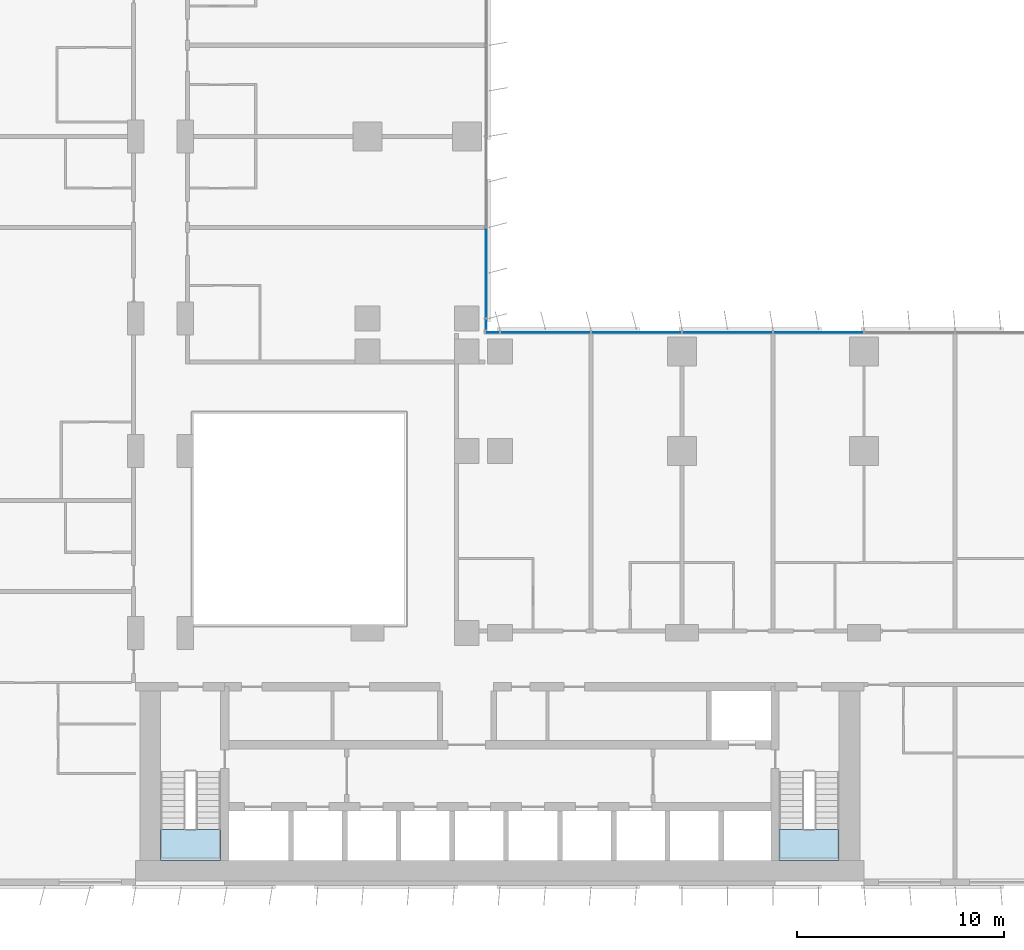
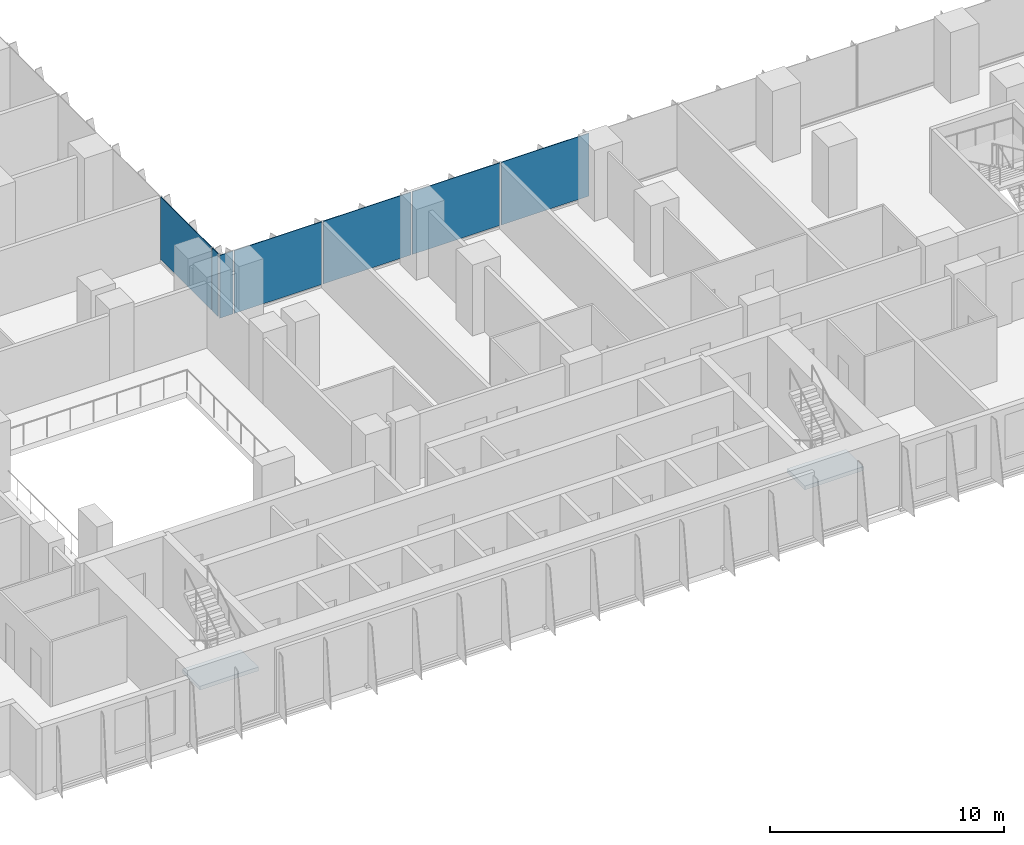
# One storey, part 10 of 24: 7 plates, 2 slabs, 4 elements without a shape of their own.
"""IFC4 building model written with IfcOpenShell, lengths in metres."""

from ifc_helpers import new_model, si_unit, direction, frame, origin, origin_2d, place, context, subcontext, project, spatial, polyline, rectangle, outline, extrude, source, transform, mapped, material, layer, layer_set, type_object, element, aggregate, save


model = new_model("IFC4")

# Units and contexts
model_context = context("Model", 3, precision=1e-05, world=origin(), true_north=direction((0.0, 1.0)))
body_context = subcontext(model_context, "Body", "Model", "MODEL_VIEW")
ifc_project = project(units=[si_unit("LENGTHUNIT", "METRE"), si_unit("AREAUNIT", "SQUARE_METRE"), si_unit("VOLUMEUNIT", "CUBIC_METRE"), si_unit("PLANEANGLEUNIT", "RADIAN"), si_unit("MASSUNIT", "GRAM", prefix="KILO")], contexts=[model_context])

# Site, building, storey
site_placement = place(None, origin())
site = spatial("IfcSite", under=ifc_project, at=site_placement, CompositionType="ELEMENT")
building_placement = place(site_placement, origin())
building = spatial("IfcBuilding", under=site, at=building_placement, Name="Kemantara Hotel Tower", CompositionType="ELEMENT")
storey_placement = place(building_placement, frame((0.0, 0.0, 59.89990234375)))
storey = spatial("IfcBuildingStorey", under=building, at=storey_placement, Name="L13", CompositionType="ELEMENT", Elevation=59.89990234375)

# Stair, slab
ifc_material_1 = material(Name="Concrete fc 40 MPa", Category="concrete")
stair_type = type_object("IfcStairType", Name="Stair 1200 wide 22 risers of 168 x 280 mm", PredefinedType="HALF_TURN_STAIR", material=ifc_material_1)
stair_1_placement = place(storey_placement, origin())
stair_1 = element("IfcStair", 1, at=stair_1_placement, inside=storey, type_object=stair_type, Name="L13 Exit stair ST1", PredefinedType="HALF_TURN_STAIR")
ifc_layer_1 = layer(ifc_material_1, 0.199951171875)
ifc_layer_set_1 = layer_set([ifc_layer_1], Name="Concrete fc 40 MPa")
slab_type = type_object("IfcSlabType", Name="Stair landing 200 mm", PredefinedType="LANDING", material=ifc_layer_set_1)
slab_1_placement = place(storey_placement, frame((0.0, 0.0, 1.650146484375)))
slab_1 = element("IfcSlab", 2, at=slab_1_placement, type_object=slab_type, Name="ST1 landing 1", PredefinedType="LANDING", context=body_context, shape_type="SweptSolid", body=[
    extrude(outline(polyline([(11.0, 2.699951171875), (11.0, 1.199951171875), (13.89990234375, 1.199951171875), (13.89990234375, 2.699951171875), (11.0, 2.699951171875)])), origin(), (0.0, 0.0, 1.0), 0.199951171875),
])
aggregate(stair_1, [slab_1])

stair_2_placement = place(storey_placement, origin())
stair_2 = element("IfcStair", 3, at=stair_2_placement, inside=storey, type_object=stair_type, Name="L13 Exit stair ST2", PredefinedType="HALF_TURN_STAIR")
slab_2_placement = place(storey_placement, frame((0.0, 0.0, 1.650146484375)))
slab_2 = element("IfcSlab", 4, at=slab_2_placement, type_object=slab_type, Name="ST2 landing 1", PredefinedType="LANDING", context=body_context, shape_type="SweptSolid", body=[
    extrude(outline(polyline([(40.89990234375, 2.699951171875), (40.89990234375, 1.199951171875), (43.800048828125, 1.199951171875), (43.800048828125, 2.699951171875), (40.89990234375, 2.699951171875)])), origin(), (0.0, 0.0, 1.0), 0.199951171875),
])
aggregate(stair_2, [slab_2])

# Curtain wall, plates
ifc_material_2 = material(Name="Low-E tinted double insulated glass 36 mm", Category="glass")
curtain_wall_type = type_object("IfcCurtainWallType", Name="TOWER CURTAIN WALL, FRONT FACES", PredefinedType="USERDEFINED", material=ifc_material_2)
curtain_wall_1_placement = place(storey_placement, origin())
curtain_wall_1 = element("IfcCurtainWall", 5, at=curtain_wall_1_placement, inside=storey, type_object=curtain_wall_type, Name="CW4 L13 T1-R07-1", ObjectType="TOWER CURTAIN WALL, FRONT FACES", PredefinedType="USERDEFINED")
ifc_layer_2 = layer(ifc_material_2, 0.035888671875)
ifc_layer_set_2 = layer_set([ifc_layer_2], Name="Low-E tinted double insulated glass 36 mm")
plate_type = type_object("IfcPlateType", Name="TOWER CURTAIN WALL, FRONT FACES PANEL", PredefinedType="CURTAIN_PANEL", material=ifc_layer_set_2)
shared_shape_1 = source(origin(), body_context, "Body", "SweptSolid", [
    extrude(rectangle(XDim=4.340087890625, YDim=0.035888671875, at=origin_2d()), origin(), (0.0, 0.0, 1.0), 3.280029296875),
])
plate_1_placement = place(storey_placement, frame((42.800048828125, 26.72509765625, 0.1201171875), z_axis=(0.0, 0.0, 1.0), x_axis=(-1.0, 0.0, 0.0)))
plate_1 = element("IfcPlate", 6, at=plate_1_placement, type_object=plate_type, Name="CW4 glass panel T1-R07-1.9", PredefinedType="CURTAIN_PANEL", context=body_context, shape_type="MappedRepresentation", body=[
    mapped(shared_shape_1, transform((0.0, 0.0, 0.0))),
])
plate_2_placement = place(storey_placement, frame((38.39990234375, 26.72509765625, 0.1201171875), z_axis=(0.0, 0.0, 1.0), x_axis=(-1.0, 0.0, 0.0)))
plate_2 = element("IfcPlate", 7, at=plate_2_placement, type_object=plate_type, Name="CW4 glass panel T1-R07-1.10", PredefinedType="CURTAIN_PANEL", context=body_context, shape_type="MappedRepresentation", body=[
    mapped(shared_shape_1, transform((0.0, 0.0, 0.0))),
])
plate_3_placement = place(storey_placement, frame((34.0, 26.72509765625, 0.1201171875), z_axis=(0.0, 0.0, 1.0), x_axis=(-1.0, 0.0, 0.0)))
plate_3 = element("IfcPlate", 8, at=plate_3_placement, type_object=plate_type, Name="CW4 glass panel T1-R07-1.11", PredefinedType="CURTAIN_PANEL", context=body_context, shape_type="MappedRepresentation", body=[
    mapped(shared_shape_1, transform((0.0, 0.0, 0.0))),
])
plate_4_placement = place(storey_placement, frame((29.60009765625, 26.72509765625, 0.1201171875), z_axis=(0.0, 0.0, 1.0), x_axis=(-1.0, 0.0, 0.0)))
plate_4 = element("IfcPlate", 9, at=plate_4_placement, type_object=plate_type, Name="CW4 glass panel T1-R07-1.12", PredefinedType="CURTAIN_PANEL", context=body_context, shape_type="MappedRepresentation", body=[
    mapped(shared_shape_1, transform((0.0, 0.0, 0.0))),
])

# Curtain wall, plate
curtain_wall_2_placement = place(storey_placement, origin())
curtain_wall_2 = element("IfcCurtainWall", 10, at=curtain_wall_2_placement, inside=storey, type_object=curtain_wall_type, Name="CW4 L13 T1-R08-1", ObjectType="TOWER CURTAIN WALL, FRONT FACES", PredefinedType="USERDEFINED")
plate_5_placement = place(storey_placement, frame((26.72509765625, 29.60009765625, 0.1201171875), z_axis=(0.0, 0.0, 1.0), x_axis=(0.0, 1.0, 0.0)))
plate_5 = element("IfcPlate", 11, at=plate_5_placement, type_object=plate_type, Name="CW4 glass panel T1-R08-1.2", PredefinedType="CURTAIN_PANEL", context=body_context, shape_type="MappedRepresentation", body=[
    mapped(shared_shape_1, transform((0.0, 0.0, 0.0))),
])

# Plate
shared_shape_2 = source(origin(), body_context, "Body", "SweptSolid", [
    extrude(rectangle(XDim=0.659912109375, YDim=0.035888671875, at=origin_2d()), origin(), (0.0, 0.0, 1.0), 3.280029296875),
])
plate_6_placement = place(storey_placement, frame((27.0400390625, 26.72509765625, 0.1201171875), z_axis=(0.0, 0.0, 1.0), x_axis=(-1.0, 0.0, 0.0)))
plate_6 = element("IfcPlate", 12, at=plate_6_placement, type_object=plate_type, Name="CW4 glass panel T1-R07-1.13", PredefinedType="CURTAIN_PANEL", context=body_context, shape_type="MappedRepresentation", body=[
    mapped(shared_shape_2, transform((0.0, 0.0, 0.0))),
])

aggregate(curtain_wall_1, [plate_1, plate_2, plate_3, plate_4, plate_6])

shared_shape_3 = source(origin(), body_context, "Body", "SweptSolid", [
    extrude(rectangle(XDim=0.510009765625, YDim=0.035888671875, at=origin_2d()), origin(), (0.0, 0.0, 1.0), 3.280029296875),
])
plate_7_placement = place(storey_placement, frame((26.72509765625, 27.114990234375, 0.1201171875), z_axis=(0.0, 0.0, 1.0), x_axis=(0.0, 1.0, 0.0)))
plate_7 = element("IfcPlate", 13, at=plate_7_placement, type_object=plate_type, Name="CW4 glass panel T1-R08-1.1", PredefinedType="CURTAIN_PANEL", context=body_context, shape_type="MappedRepresentation", body=[
    mapped(shared_shape_3, transform((0.0, 0.0, 0.0))),
])

aggregate(curtain_wall_2, [plate_7, plate_5])

save(model, "model.ifc")
